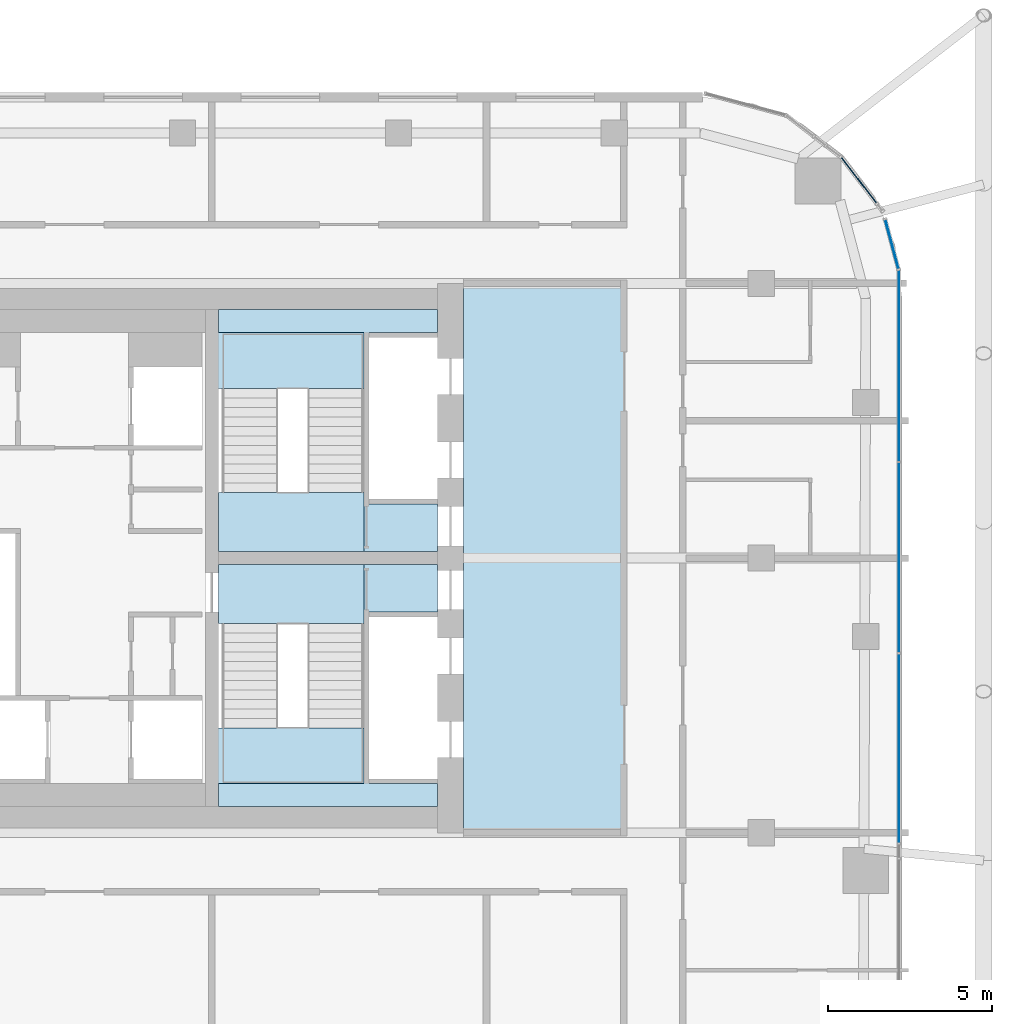
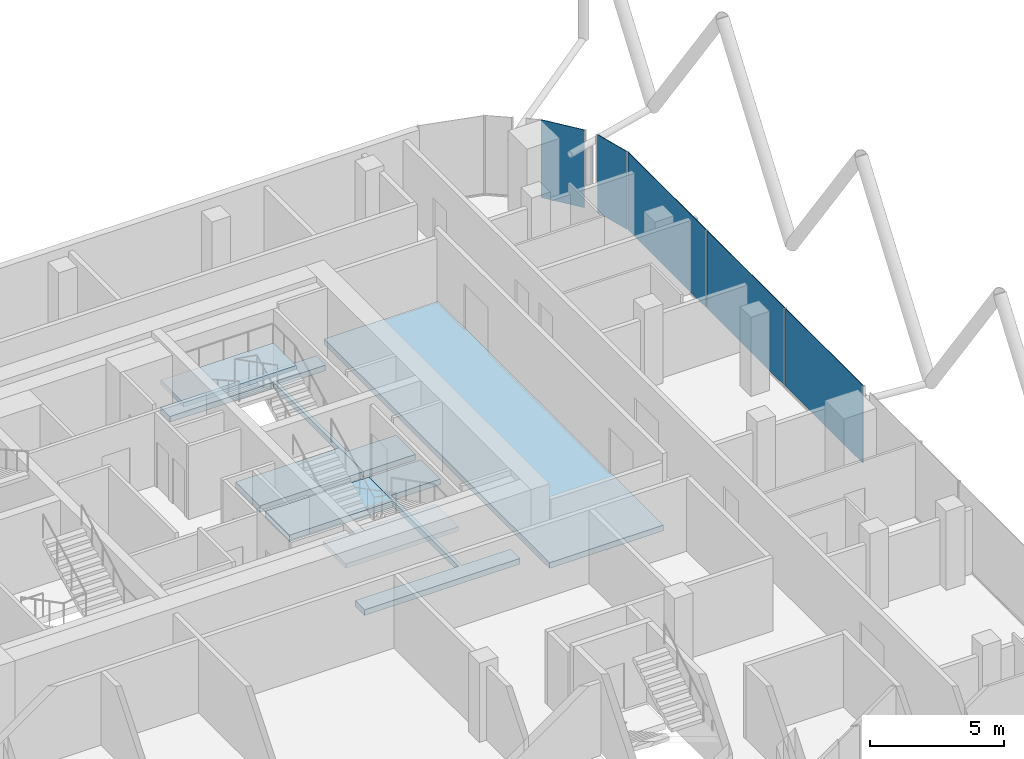
# One storey, part 21 of 31: 7 slabs, 5 plates, 5 elements without a shape of their own.
"""IFC4 building model written with IfcOpenShell, lengths in metres."""

from ifc_helpers import new_model, si_unit, direction, frame, origin, origin_2d, place, context, subcontext, project, spatial, polyline, rectangle, outline, extrude, material, layer, layer_set, type_object, element, aggregate, save


model = new_model("IFC4")

# Units and contexts
model_context = context("Model", 3, precision=1e-05, world=origin(), true_north=direction((0.0, 1.0)))
body_context = subcontext(model_context, "Body", "Model", "MODEL_VIEW")
ifc_project = project(units=[si_unit("LENGTHUNIT", "METRE"), si_unit("AREAUNIT", "SQUARE_METRE"), si_unit("VOLUMEUNIT", "CUBIC_METRE"), si_unit("PLANEANGLEUNIT", "RADIAN"), si_unit("MASSUNIT", "GRAM", prefix="KILO")], contexts=[model_context])

# Site, building, storey
site_placement = place(None, origin())
site = spatial("IfcSite", under=ifc_project, at=site_placement, CompositionType="ELEMENT")
building_placement = place(site_placement, origin())
building = spatial("IfcBuilding", under=site, at=building_placement, Name="Marenta Gate Hotel Tower", CompositionType="ELEMENT")
storey_placement = place(building_placement, frame((0.0, 0.0, 205.699951171875)))
storey = spatial("IfcBuildingStorey", under=building, at=storey_placement, Name="L47", CompositionType="ELEMENT", Elevation=205.699951171875)

# Slabs
ifc_material_1 = material(Name="Concrete C40", Category="concrete")
ifc_layer_1 = layer(ifc_material_1, 0.260009765625)
ifc_layer_set_1 = layer_set([ifc_layer_1], Name="Concrete C40")
slab_type_1 = type_object("IfcSlabType", Name="Core floor slab 260", PredefinedType="FLOOR", material=ifc_layer_set_1)
slab_1_placement = place(storey_placement, frame((0.0, 0.0, -0.260009765625)))
element("IfcSlab", 1, at=slab_1_placement, inside=storey, type_object=slab_type_1, Name="L47-CF-1", PredefinedType="FLOOR", context=body_context, shape_type="SweptSolid", body=[
    extrude(outline(polyline([(11.89990234375, 0.0), (11.89990234375, 16.800048828125), (16.800048828125, 16.800048828125), (16.800048828125, 0.0), (11.89990234375, 0.0)])), origin(), (0.0, 0.0, 1.0), 0.260009765625),
])
slab_2_placement = place(storey_placement, frame((0.0, 0.0, -0.260009765625)))
element("IfcSlab", 2, at=slab_2_placement, inside=storey, type_object=slab_type_1, Name="L47-CF-2", PredefinedType="FLOOR", context=body_context, shape_type="SweptSolid", body=[
    extrude(outline(polyline([(8.85009765625, 1.5), (8.85009765625, 6.39990234375), (8.85009765625, 8.10009765625), (8.85009765625, 8.199951171875), (11.10009765625, 8.199951171875), (11.10009765625, 6.75), (9.0, 6.75), (9.0, 6.60009765625), (9.0, 4.199951171875), (9.0, 4.050048828125), (9.0, 1.64990234375), (9.0, 1.5), (11.10009765625, 1.5), (11.10009765625, 0.800048828125), (4.39990234375, 0.800048828125), (4.39990234375, 1.5), (8.85009765625, 1.5)])), origin(), (0.0, 0.0, 1.0), 0.260009765625),
])
slab_3_placement = place(storey_placement, frame((0.0, 0.0, -0.260009765625)))
element("IfcSlab", 3, at=slab_3_placement, inside=storey, type_object=slab_type_1, Name="L47-CF-3", PredefinedType="FLOOR", context=body_context, shape_type="SweptSolid", body=[
    extrude(outline(polyline([(8.85009765625, 15.300048828125), (4.39990234375, 15.300048828125), (4.39990234375, 16.0), (11.10009765625, 16.0), (11.10009765625, 15.300048828125), (9.0, 15.300048828125), (9.0, 15.14990234375), (9.0, 12.75), (9.0, 12.60009765625), (9.0, 10.199951171875), (9.0, 10.050048828125), (11.10009765625, 10.050048828125), (11.10009765625, 8.60009765625), (8.85009765625, 8.60009765625), (8.85009765625, 8.699951171875), (8.85009765625, 10.39990234375), (8.85009765625, 15.300048828125)])), origin(), (0.0, 0.0, 1.0), 0.260009765625),
])

# Stair, slab
ifc_material_2 = material(Name="Concrete C40", Category="concrete")
stair_type = type_object("IfcStairType", Name="Core exit stair 1700 wide", PredefinedType="HALF_TURN_STAIR", material=ifc_material_2)
stair_1_placement = place(storey_placement, origin())
stair_1 = element("IfcStair", 4, at=stair_1_placement, inside=storey, type_object=stair_type, Name="Exit stair 3", PredefinedType="HALF_TURN_STAIR")
ifc_material_3 = material(Name="Concrete C40", Category="concrete")
ifc_layer_2 = layer(ifc_material_3, 0.199951171875)
ifc_layer_set_2 = layer_set([ifc_layer_2], Name="Concrete C40")
slab_type_2 = type_object("IfcSlabType", Name="Core stair landing 200", PredefinedType="LANDING", material=ifc_layer_set_2)
slab_4_placement = place(storey_placement, frame((0.0, 0.0, 1.60009765625)))
slab_4 = element("IfcSlab", 5, at=slab_4_placement, type_object=slab_type_2, Name="SL-200 ST3 landing 1", PredefinedType="LANDING", context=body_context, shape_type="SweptSolid", body=[
    extrude(outline(polyline([(4.0, 1.5), (8.85009765625, 1.5), (8.85009765625, 3.2099609375), (4.0, 3.2099609375), (4.0, 1.5)])), origin(), (0.0, 0.0, 1.0), 0.199951171875),
])
aggregate(stair_1, [slab_4])

stair_2_placement = place(storey_placement, origin())
stair_2 = element("IfcStair", 6, at=stair_2_placement, inside=storey, type_object=stair_type, Name="Exit stair 4", PredefinedType="HALF_TURN_STAIR")
slab_5_placement = place(storey_placement, frame((0.0, 0.0, 1.60009765625)))
slab_5 = element("IfcSlab", 7, at=slab_5_placement, type_object=slab_type_2, Name="SL-200 ST4 landing 1", PredefinedType="LANDING", context=body_context, shape_type="SweptSolid", body=[
    extrude(outline(polyline([(4.0, 13.590087890625), (8.85009765625, 13.590087890625), (8.85009765625, 15.300048828125), (4.0, 15.300048828125), (4.0, 13.590087890625)])), origin(), (0.0, 0.0, 1.0), 0.199951171875),
])
aggregate(stair_2, [slab_5])

# Curtain wall, plates
ifc_material_4 = material(Name="Tinted insulated glass in bronze anodised frame", Category="glass")
ifc_layer_3 = layer(ifc_material_4, 0.1201171875)
ifc_layer_set_3 = layer_set([ifc_layer_3], Name="Tinted insulated glass in bronze anodised frame")
curtain_wall_type = type_object("IfcCurtainWallType", Name="Tower unitised curtain wall CW1", PredefinedType="NOTDEFINED", material=ifc_layer_set_3)
curtain_wall_1_placement = place(storey_placement, origin())
curtain_wall_1 = element("IfcCurtainWall", 8, at=curtain_wall_1_placement, inside=storey, type_object=curtain_wall_type, Name="CW1 run G34", PredefinedType="NOTDEFINED")
ifc_material_5 = material(Name="Tinted insulated glass", Category="glass")
ifc_layer_4 = layer(ifc_material_5, 0.028076171875)
ifc_layer_set_4 = layer_set([ifc_layer_4], Name="Tinted insulated glass")
plate_type = type_object("IfcPlateType", Name="Glass panel CW1 28 mm tinted insulated unit", PredefinedType="CURTAIN_PANEL", material=ifc_layer_set_4)
plate_1_placement = place(storey_placement, frame((25.214111328125, 2.57373046875, 0.06005859375), z_axis=(0.0, 0.0, 1.0), x_axis=(0.0, 1.0, 0.0)))
plate_1 = element("IfcPlate", 9, at=plate_1_placement, type_object=plate_type, Name="CW1 panel 1.1", PredefinedType="CURTAIN_PANEL", context=body_context, shape_type="SweptSolid", body=[
    extrude(rectangle(XDim=5.76318359375, YDim=0.028076171875, at=origin_2d()), origin(), (0.0, 0.0, 1.0), 3.5400390625),
])
plate_2_placement = place(storey_placement, frame((25.214111328125, 8.412109375, 0.06005859375), z_axis=(0.0, 0.0, 1.0), x_axis=(0.0, 1.0, 0.0)))
plate_2 = element("IfcPlate", 10, at=plate_2_placement, type_object=plate_type, Name="CW1 panel 2.1", PredefinedType="CURTAIN_PANEL", context=body_context, shape_type="SweptSolid", body=[
    extrude(rectangle(XDim=5.793212890625, YDim=0.028076171875, at=origin_2d()), origin(), (0.0, 0.0, 1.0), 3.5400390625),
])
plate_3_placement = place(storey_placement, frame((25.214111328125, 14.2802734375, 0.06005859375), z_axis=(0.0, 0.0, 1.0), x_axis=(0.0, 1.0, 0.0)))
plate_3 = element("IfcPlate", 11, at=plate_3_placement, type_object=plate_type, Name="CW1 panel 3.1", PredefinedType="CURTAIN_PANEL", context=body_context, shape_type="SweptSolid", body=[
    extrude(rectangle(XDim=5.8232421875, YDim=0.028076171875, at=origin_2d()), origin(), (0.0, 0.0, 1.0), 3.5400390625),
])
aggregate(curtain_wall_1, [plate_1, plate_2, plate_3])

# Curtain wall, plate
curtain_wall_2_placement = place(storey_placement, origin())
curtain_wall_2 = element("IfcCurtainWall", 12, at=curtain_wall_2_placement, inside=storey, type_object=curtain_wall_type, Name="CW1 run G35", PredefinedType="NOTDEFINED")
plate_4_placement = place(storey_placement, frame((24.998779296875, 17.9951171875, 0.06005859375), z_axis=(0.0, 0.0, 1.0), x_axis=(-0.25883027083, 0.965922818295, 0.0)))
plate_4 = element("IfcPlate", 13, at=plate_4_placement, type_object=plate_type, Name="CW1 panel 1.1", PredefinedType="CURTAIN_PANEL", context=body_context, shape_type="SweptSolid", body=[
    extrude(rectangle(XDim=1.54296875, YDim=0.028076171875, at=origin_2d()), origin(), (0.0, 0.0, 1.0), 3.5400390625),
])
aggregate(curtain_wall_2, [plate_4])

curtain_wall_3_placement = place(storey_placement, origin())
curtain_wall_3 = element("IfcCurtainWall", 14, at=curtain_wall_3_placement, inside=storey, type_object=curtain_wall_type, Name="CW1 run G37", PredefinedType="NOTDEFINED")
plate_5_placement = place(storey_placement, frame((23.98876953125, 19.9541015625, 0.06005859375), z_axis=(0.0, 0.0, 1.0), x_axis=(-0.608784227687, 0.79333584573, 0.0)))
plate_5 = element("IfcPlate", 15, at=plate_5_placement, type_object=plate_type, Name="CW1 panel 1.1", PredefinedType="CURTAIN_PANEL", context=body_context, shape_type="SweptSolid", body=[
    extrude(rectangle(XDim=1.76123046875, YDim=0.028076171875, at=origin_2d()), origin(), (0.0, 0.0, 1.0), 3.5400390625),
])
aggregate(curtain_wall_3, [plate_5])

# Slabs
ifc_material_6 = material(Name="Concrete C40", Category="concrete")
ifc_layer_5 = layer(ifc_material_6, 0.300048828125)
ifc_layer_set_5 = layer_set([ifc_layer_5], Name="Concrete C40")
slab_type_3 = type_object("IfcSlabType", Name="Stair floor landing slab 300", PredefinedType="FLOOR", material=ifc_layer_set_5)
slab_6_placement = place(storey_placement, frame((0.0, 0.0, -0.300048828125)))
element("IfcSlab", 16, at=slab_6_placement, inside=storey, type_object=slab_type_3, Name="L47-CL-ST3-1", PredefinedType="FLOOR", context=body_context, shape_type="SweptSolid", body=[
    extrude(outline(polyline([(4.39990234375, 6.39990234375), (4.39990234375, 8.199951171875), (8.85009765625, 8.199951171875), (8.85009765625, 8.10009765625), (8.85009765625, 6.39990234375), (4.39990234375, 6.39990234375)])), origin(), (0.0, 0.0, 1.0), 0.300048828125),
])
slab_7_placement = place(storey_placement, frame((0.0, 0.0, -0.300048828125)))
element("IfcSlab", 17, at=slab_7_placement, inside=storey, type_object=slab_type_3, Name="L47-CL-ST4-1", PredefinedType="FLOOR", context=body_context, shape_type="SweptSolid", body=[
    extrude(outline(polyline([(4.39990234375, 8.60009765625), (4.39990234375, 10.39990234375), (8.85009765625, 10.39990234375), (8.85009765625, 8.699951171875), (8.85009765625, 8.60009765625), (4.39990234375, 8.60009765625)])), origin(), (0.0, 0.0, 1.0), 0.300048828125),
])

save(model, "model.ifc")
